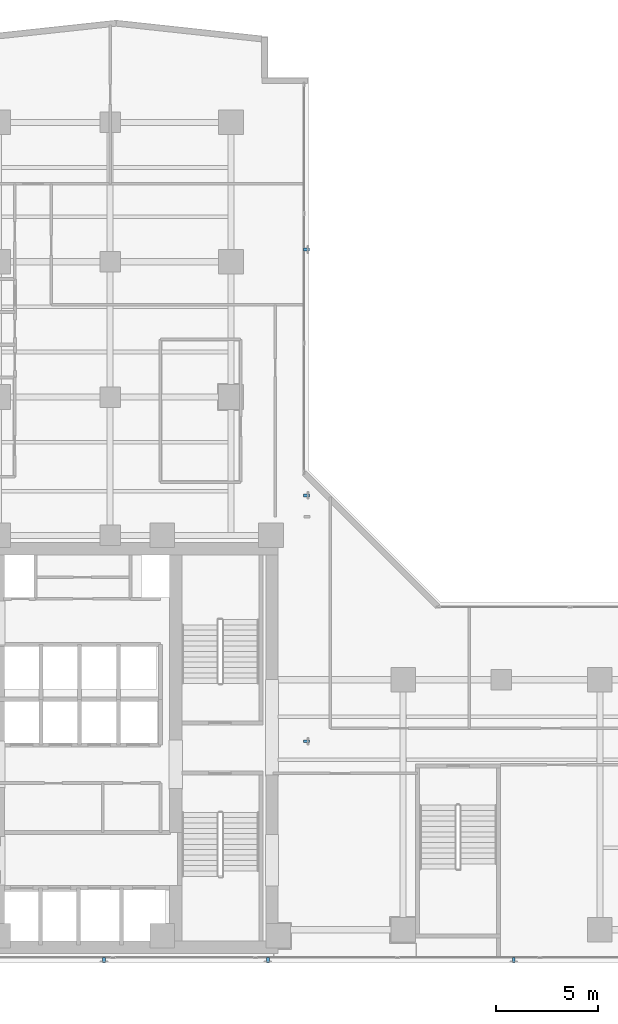
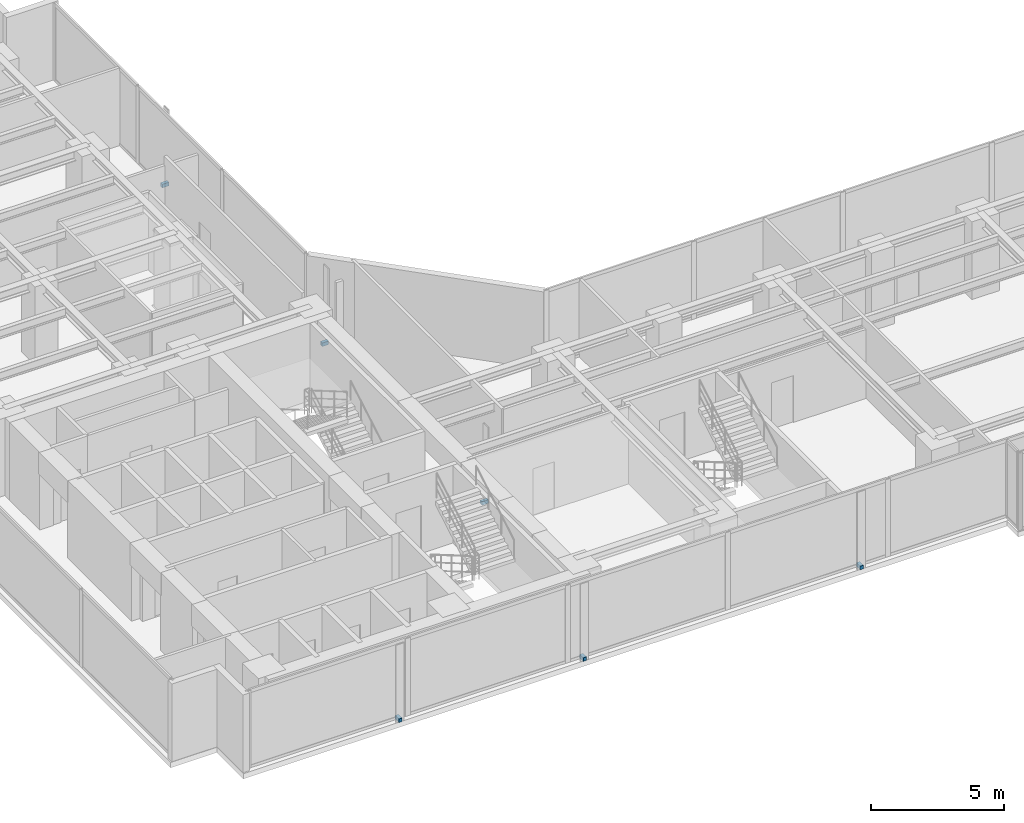
# One storey, part 22 of 26: 6 discrete accessories.
"""IFC4 building model written with IfcOpenShell, lengths in metres."""

import ifcopenshell
import ifcopenshell.guid

model = None  # the IFC model being written
_history = None  # IfcOwnerHistory: only IFC2X3 demands one
_inside = {}  # id of a spatial element -> (the spatial element, [elements in it])
_under = {}  # id of a project, library or spatial element -> (it, [spatial elements below it])
_declared = {}  # id of a project -> (the project, [libraries it declares])
_typed = {}  # id of a type object -> (the type object, [elements of that type])
_made_of = {}  # id of a material, layer set ... -> (it, [elements and type objects made of it])


def new_model(schema):
    """Start an empty IFC model of exactly this schema.

    Asked for "IFC4X3", IfcOpenShell would pick the latest addendum, in which some entities
    have other attributes; the version numbers below select the first issue.
    IFC2X3 requires an IfcOwnerHistory on every rooted entity: one is made here for all.
    """
    global model, _history
    if schema == "IFC4X3":
        model = ifcopenshell.file(schema_version=(4, 3, 0, 0))
    else:
        model = ifcopenshell.file(schema=schema)
    _inside.clear()
    _under.clear()
    _declared.clear()
    _typed.clear()
    _made_of.clear()
    _history = None
    if model.schema == "IFC2X3":
        org = make("IfcOrganization", Name="unknown")
        user = make(
            "IfcPersonAndOrganization",
            ThePerson=make("IfcPerson", FamilyName="unknown"),
            TheOrganization=org,
        )
        app = make(
            "IfcApplication",
            ApplicationDeveloper=org,
            Version="unknown",
            ApplicationFullName="unknown",
            ApplicationIdentifier="unknown",
        )
        _history = make(
            "IfcOwnerHistory",
            OwningUser=user,
            OwningApplication=app,
            ChangeAction="ADDED",
            CreationDate=0,
        )
    return model


def make(cls, **values):
    """One entity of the class cls with the attributes given. An attribute that is None is left unset."""
    return model.create_entity(
        cls, **{name: value for name, value in values.items() if value is not None}
    )


def rooted(cls, **values):
    """An entity with a GlobalId (a new one), such as an element, a storey or a relation."""
    return make(cls, GlobalId=ifcopenshell.guid.new(), OwnerHistory=_history, **values)


def si_unit(unit_type, name, prefix=None):
    """IfcSIUnit, for example si_unit("LENGTHUNIT", "METRE", prefix="MILLI")."""
    return make("IfcSIUnit", UnitType=unit_type, Prefix=prefix, Name=name)


def assignment(units):
    """IfcUnitAssignment: the units of a project."""
    return None if units is None else make("IfcUnitAssignment", Units=units)


def point(xyz):
    """IfcCartesianPoint."""
    return None if xyz is None else make("IfcCartesianPoint", Coordinates=xyz)


def direction(xyz):
    """IfcDirection."""
    return None if xyz is None else make("IfcDirection", DirectionRatios=xyz)


def frame(location, z_axis=None, x_axis=None):
    """IfcAxis2Placement3D, a coordinate frame: its origin and axes. An axis left out is left unset."""
    return make(
        "IfcAxis2Placement3D",
        Location=point(location),
        Axis=direction(z_axis),
        RefDirection=direction(x_axis),
    )


def frame_2d(location, x_axis=None):
    """IfcAxis2Placement2D, a coordinate frame in the plane: its origin and x axis."""
    return make(
        "IfcAxis2Placement2D", Location=point(location), RefDirection=direction(x_axis)
    )


def origin():
    """The frame at (0, 0, 0) with its axes left unset."""
    return frame((0.0, 0.0, 0.0))


def origin_with_axes():
    """The frame at (0, 0, 0) with the z axis (0, 0, 1) and the x axis (1, 0, 0) written out."""
    return frame((0.0, 0.0, 0.0), z_axis=(0.0, 0.0, 1.0), x_axis=(1.0, 0.0, 0.0))


def origin_2d():
    """The frame at (0, 0) in the plane with its x axis left unset."""
    return frame_2d((0.0, 0.0))


def place(relative_to, where):
    """IfcLocalPlacement: puts the frame where relative to a parent placement (None: the world)."""
    return make(
        "IfcLocalPlacement", PlacementRelTo=relative_to, RelativePlacement=where
    )


def context(
    kind, dimensions, precision=None, world=None, true_north=None, identifier=None
):
    """IfcGeometricRepresentationContext, for example the 3D "Model" context."""
    return make(
        "IfcGeometricRepresentationContext",
        ContextIdentifier=identifier,
        ContextType=kind,
        CoordinateSpaceDimension=dimensions,
        Precision=precision,
        WorldCoordinateSystem=world,
        TrueNorth=true_north,
    )


def subcontext(parent, identifier, kind, view, scale=None):
    """IfcGeometricRepresentationSubContext, for example "Body" below "Model"."""
    return make(
        "IfcGeometricRepresentationSubContext",
        ContextIdentifier=identifier,
        ContextType=kind,
        ParentContext=parent,
        TargetScale=scale,
        TargetView=view,
    )


def project(units=None, contexts=None):
    """IfcProject with its units and contexts."""
    return rooted(
        "IfcProject",
        Name="project",
        RepresentationContexts=contexts,
        UnitsInContext=assignment(units),
    )


def spatial(cls, under=None, at=None, **own):
    """A site, building, storey or space (cls), placed at a placement, below another one or the project."""
    s = rooted(cls, ObjectPlacement=at, **own)
    if under is not None:
        _under.setdefault(under.id(), (under, []))[1].append(s)
    return s


def profile(cls, at=None, kind="AREA", **sizes):
    """A parametric profile (cls). Its sizes go by their IFC names, for example OverallWidth=200.0."""
    return make(cls, ProfileType=kind, Position=at, **sizes)


def rectangle(**sizes):
    """IfcRectangleProfileDef."""
    return profile("IfcRectangleProfileDef", **sizes)


def extrude(swept, where, along, depth):
    """IfcExtrudedAreaSolid: the profile swept, set in the frame where, extruded along a direction by depth."""
    return make(
        "IfcExtrudedAreaSolid",
        SweptArea=swept,
        Position=where,
        ExtrudedDirection=direction(along),
        Depth=depth,
    )


def shape(context_of_items, identifier, shape_type, items):
    """IfcShapeRepresentation: the items that make up one representation, for example the "Body"."""
    return make(
        "IfcShapeRepresentation",
        ContextOfItems=context_of_items,
        RepresentationIdentifier=identifier,
        RepresentationType=shape_type,
        Items=items,
    )


def source(mapping_origin, context_of_items, identifier, shape_type, items):
    """IfcRepresentationMap: a shape defined once, which mapped items show again and again."""
    return make(
        "IfcRepresentationMap",
        MappingOrigin=mapping_origin,
        MappedRepresentation=shape(context_of_items, identifier, shape_type, items),
    )


def transform(
    local_origin,
    x_axis=None,
    y_axis=None,
    z_axis=None,
    scale=None,
    scale2=None,
    scale3=None,
    uniform=True,
):
    """IfcCartesianTransformationOperator3D, or its non-uniform kind. x_axis, y_axis, z_axis: its Axis1, 2, 3."""
    if uniform:
        return make(
            "IfcCartesianTransformationOperator3D",
            Axis1=direction(x_axis),
            Axis2=direction(y_axis),
            LocalOrigin=point(local_origin),
            Scale=scale,
            Axis3=direction(z_axis),
        )
    return make(
        "IfcCartesianTransformationOperator3DnonUniform",
        Axis1=direction(x_axis),
        Axis2=direction(y_axis),
        LocalOrigin=point(local_origin),
        Scale=scale,
        Axis3=direction(z_axis),
        Scale2=scale2,
        Scale3=scale3,
    )


def mapped(mapping_source, mapping_target):
    """IfcMappedItem: shows the shape of a source again, moved by a transform."""
    return make(
        "IfcMappedItem", MappingSource=mapping_source, MappingTarget=mapping_target
    )


def material(Name=None, Category=None):
    """IfcMaterial."""
    return make("IfcMaterial", Name=Name, Category=Category)


def made_of(thing, what):
    """Note that an element or type object is made of a material, layer set ...; save() writes the relation."""
    if what is not None:
        _made_of.setdefault(what.id(), (what, []))[1].append(thing)
    return thing


def type_object(cls, material=None, **own):
    """A type object (cls), such as IfcWallType, which elements share."""
    return made_of(rooted(cls, **own), material)


def element(
    cls,
    number,
    at=None,
    inside=None,
    cuts=None,
    type_object=None,
    material=None,
    context=None,
    identifier="Body",
    shape_type=None,
    held_by="IfcProductDefinitionShape",
    body=None,
    shapes=None,
    **own,
):
    """One element of the class cls, such as IfcWall. Its Tag is "e" and its number.

    at: its placement. inside: the storey or other place that contains it. cuts: it is an
    opening in that element (IfcRelVoidsElement). A single representation is given by context,
    identifier, shape_type and body (its items); several are given by shapes. held_by: the class
    of the entity that holds the representations. save() writes the other relations.
    """
    e = rooted(cls, Tag="e%d" % number, ObjectPlacement=at, **own)
    if body is not None:
        shapes = [shape(context, identifier, shape_type, body)]
    if shapes is not None:
        e.Representation = make(held_by, Representations=shapes)
    if inside is not None:
        _inside.setdefault(inside.id(), (inside, []))[1].append(e)
    if cuts is not None:
        rooted(
            "IfcRelVoidsElement", RelatingBuildingElement=cuts, RelatedOpeningElement=e
        )
    if type_object is not None:
        _typed.setdefault(type_object.id(), (type_object, []))[1].append(e)
    return made_of(e, material)


def aggregate(whole, parts):
    """IfcRelAggregates: a whole, such as a stair, and the parts it consists of."""
    return rooted("IfcRelAggregates", RelatingObject=whole, RelatedObjects=parts)


def save(model, path):
    """Write the relations noted so far, then the file.

    IfcRelAggregates (storeys below a building ...), IfcRelContainedInSpatialStructure (elements
    in a storey), IfcRelDefinesByType, IfcRelAssociatesMaterial and IfcRelDeclares: one each for
    every whole, place, type object, material and project.
    """
    for whole, parts in _under.values():
        aggregate(whole, parts)
    for where, things in _inside.values():
        rooted(
            "IfcRelContainedInSpatialStructure",
            RelatedElements=things,
            RelatingStructure=where,
        )
    for kind, things in _typed.values():
        rooted("IfcRelDefinesByType", RelatedObjects=things, RelatingType=kind)
    for what, things in _made_of.values():
        rooted("IfcRelAssociatesMaterial", RelatedObjects=things, RelatingMaterial=what)
    for by, libraries in _declared.values():
        rooted("IfcRelDeclares", RelatingContext=by, RelatedDefinitions=libraries)
    model.write(path)


model = new_model("IFC4")

# Units and contexts
model_context = context("Model", 3, precision=1e-05, world=origin(), true_north=direction((0.0, 1.0)))
body_context = subcontext(model_context, "Body", "Model", "MODEL_VIEW")
ifc_project = project(units=[si_unit("LENGTHUNIT", "METRE"), si_unit("AREAUNIT", "SQUARE_METRE"), si_unit("VOLUMEUNIT", "CUBIC_METRE"), si_unit("PLANEANGLEUNIT", "RADIAN"), si_unit("MASSUNIT", "GRAM", prefix="KILO")], contexts=[model_context])

# Site, building, storey
site_placement = place(None, origin())
site = spatial("IfcSite", under=ifc_project, at=site_placement, CompositionType="ELEMENT")
building_placement = place(site_placement, origin())
building = spatial("IfcBuilding", under=site, at=building_placement, Name="Kolvaren Waterfront Exchange", CompositionType="ELEMENT")
storey_placement = place(building_placement, frame((0.0, 0.0, 180.39990234375)))
storey = spatial("IfcBuildingStorey", under=building, at=storey_placement, Name="L46", CompositionType="ELEMENT", Elevation=180.39990234375)

# Discrete accessories
ifc_material = material(Name="Stainless steel 316", Category="steel")
discrete_accessory_type = type_object("IfcDiscreteAccessoryType", Name="ARC-BRK-FIN", PredefinedType="BRACKET", material=ifc_material)
shared_shape = source(origin_with_axes(), body_context, "Body", "SweptSolid", [
    extrude(rectangle(XDim=0.280029296875, YDim=0.139892578125, at=origin_2d()), origin(), (0.0, 0.0, 1.0), 0.159912109375),
])
for number, where, z_axis, x_axis, name in (
    (1, (12.60009765625, 3.719970703125, 0.0), (0.0, 0.0, 1.0), (0.0, -1.0, 0.0), "L46 bronze fin anchor bracket FIN-L46-S1"),
    (2, (20.60009765625, 3.719970703125, 0.0), (0.0, 0.0, 1.0), (0.0, -1.0, 0.0), "L46 bronze fin anchor bracket FIN-L46-S2"),
    (3, (32.60009765625, 3.719970703125, 0.0), (0.0, 0.0, 1.0), (0.0, -1.0, 0.0), "L46 bronze fin anchor bracket FIN-L46-S3"),
    (4, (22.47998046875, 14.39990234375, 0.0), (0.0, 0.0, 1.0), (1.0, 0.0, 0.0), "L46 bronze fin anchor bracket FIN-L46-E1"),
    (5, (22.47998046875, 26.39990234375, 0.0), (0.0, 0.0, 1.0), (1.0, 0.0, 0.0), "L46 bronze fin anchor bracket FIN-L46-E2"),
    (6, (22.47998046875, 38.39990234375, 0.0), (0.0, 0.0, 1.0), (1.0, 0.0, 0.0), "L46 bronze fin anchor bracket FIN-L46-E3"),
):
    element("IfcDiscreteAccessory", number, at=place(storey_placement, frame(where, z_axis=z_axis, x_axis=x_axis)), inside=storey, type_object=discrete_accessory_type, Name=name, PredefinedType="BRACKET", context=body_context, shape_type="MappedRepresentation", body=[
        mapped(shared_shape, transform((0.0, 0.0, 0.0), x_axis=(1.0, 0.0, 0.0), y_axis=(0.0, 1.0, 0.0), z_axis=(0.0, 0.0, 1.0), scale=1.0)),
    ])

save(model, "model.ifc")
